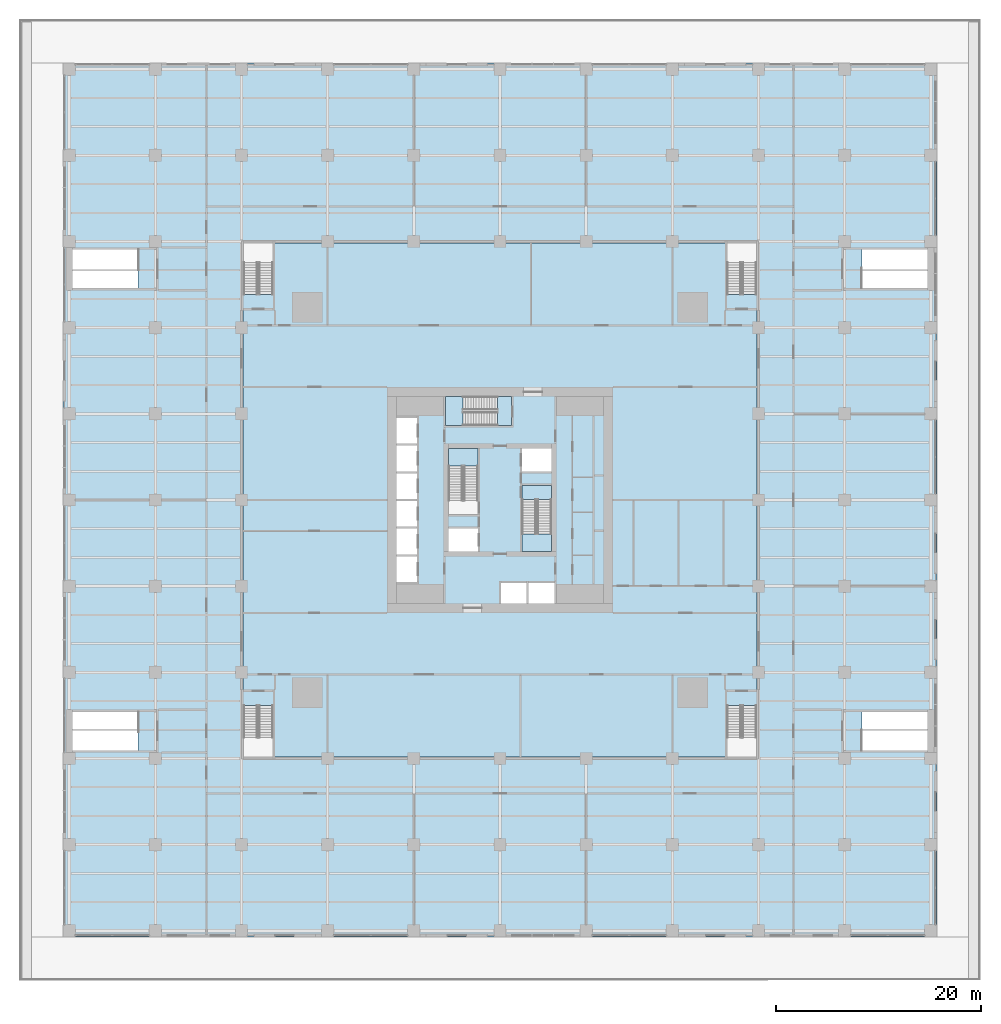
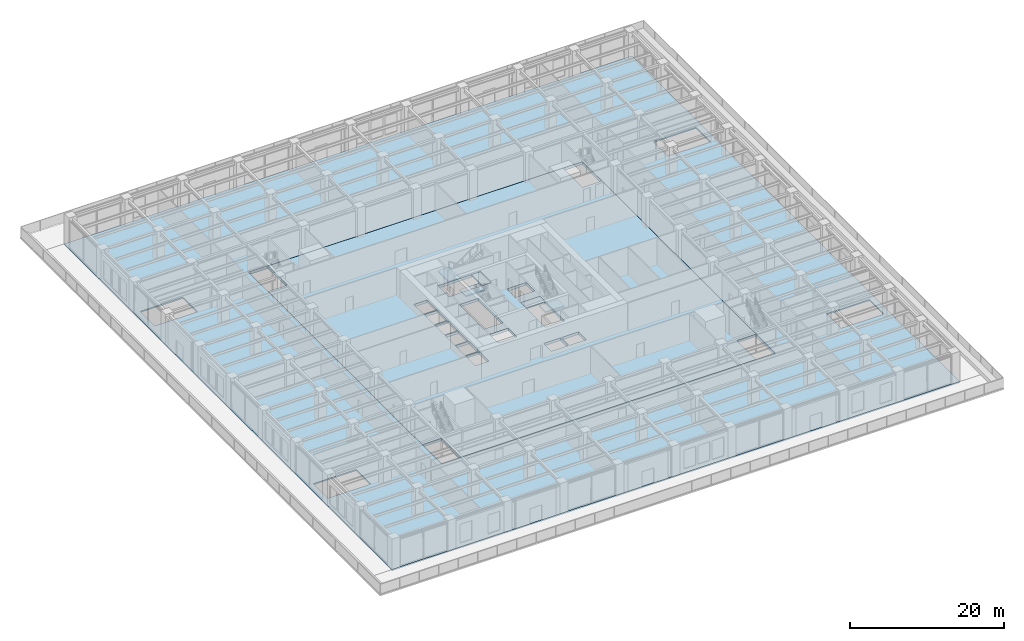
# One storey, part 27 of 53: 7 slabs, 3 elements without a shape of their own.
"""IFC4 building model written with IfcOpenShell, lengths in metres."""

from ifc_helpers import new_model, si_unit, direction, frame, origin, place, context, subcontext, project, spatial, polyline, outline, extrude, material, layer, layer_set, type_object, element, aggregate, save


model = new_model("IFC4")

# Units and contexts
model_context = context("Model", 3, precision=1e-05, world=origin(), true_north=direction((0.0, 1.0)))
body_context = subcontext(model_context, "Body", "Model", "MODEL_VIEW")
ifc_project = project(units=[si_unit("LENGTHUNIT", "METRE"), si_unit("AREAUNIT", "SQUARE_METRE"), si_unit("VOLUMEUNIT", "CUBIC_METRE"), si_unit("PLANEANGLEUNIT", "RADIAN"), si_unit("MASSUNIT", "GRAM", prefix="KILO")], contexts=[model_context])

# Site, building, storey
site_placement = place(None, origin())
site = spatial("IfcSite", under=ifc_project, at=site_placement, CompositionType="ELEMENT")
building_placement = place(site_placement, origin())
building = spatial("IfcBuilding", under=site, at=building_placement, Name="Khepri Terraces", CompositionType="ELEMENT")
storey_placement = place(building_placement, frame((0.0, 0.0, 7.199951171875)))
storey = spatial("IfcBuildingStorey", under=building, at=storey_placement, Name="L01", CompositionType="ELEMENT", Elevation=7.199951171875)

# Slabs
ifc_material_1 = material(Name="Concrete C35/45", Category="concrete")
ifc_layer_1 = layer(ifc_material_1, 0.199951171875, Name="Concrete C35/45", Category="concrete")
ifc_layer_set_1 = layer_set([ifc_layer_1], Name="Concrete C35/45")
slab_type_1 = type_object("IfcSlabType", Name="Composite floor slab 200", PredefinedType="FLOOR", material=ifc_layer_set_1)
slab_1_placement = place(storey_placement, frame((0.0, 0.0, -0.199951171875)))
element("IfcSlab", 1, at=slab_1_placement, inside=storey, type_object=slab_type_1, Name="Floor slab C01 L01", PredefinedType="FLOOR", context=body_context, shape_type="SweptSolid", body=[
    extrude(outline(polyline([(-42.60009765625, -42.60009765625), (-42.60009765625, 42.60009765625), (42.60009765625, 42.60009765625), (42.60009765625, -42.60009765625), (-42.60009765625, -42.60009765625)]), holes=[polyline([(25.050048828125, 25.050048828125), (-25.050048828125, 25.050048828125), (-25.050048828125, -25.050048828125), (25.050048828125, -25.050048828125), (25.050048828125, 25.050048828125)]), polyline([(-41.699951171875, 20.64990234375), (-35.300537109375, 20.64990234375), (-35.300537109375, 24.39990234375), (-41.699951171875, 24.39990234375), (-41.699951171875, 20.64990234375)]), polyline([(41.699951171875, 20.64990234375), (41.699951171875, 24.39990234375), (35.300537109375, 24.39990234375), (35.300537109375, 20.64990234375), (41.699951171875, 20.64990234375)]), polyline([(-35.300537109375, -20.64990234375), (-41.699951171875, -20.64990234375), (-41.699951171875, -24.39990234375), (-35.300537109375, -24.39990234375), (-35.300537109375, -20.64990234375)]), polyline([(35.300537109375, -20.64990234375), (35.300537109375, -24.39990234375), (41.699951171875, -24.39990234375), (41.699951171875, -20.64990234375), (35.300537109375, -20.64990234375)])]), origin(), (0.0, 0.0, 1.0), 0.199951171875),
])
ifc_material_2 = material(Name="Concrete C40/50", Category="concrete")
ifc_layer_2 = layer(ifc_material_2, 0.419921875, Name="Concrete C40/50", Category="concrete")
ifc_layer_set_2 = layer_set([ifc_layer_2], Name="Concrete C40/50")
slab_type_2 = type_object("IfcSlabType", Name="Flat plate 420", PredefinedType="FLOOR", material=ifc_layer_set_2)
slab_2_placement = place(storey_placement, frame((0.0, 0.0, -0.419921875)))
element("IfcSlab", 2, at=slab_2_placement, inside=storey, type_object=slab_type_2, Name="Floor slab F01 L01", PredefinedType="FLOOR", context=body_context, shape_type="SweptSolid", body=[
    extrude(outline(polyline([(-25.050048828125, 25.050048828125), (25.050048828125, 25.050048828125), (25.050048828125, -25.050048828125), (-25.050048828125, -25.050048828125), (-25.050048828125, 25.050048828125)]), holes=[polyline([(5.0, 5.0), (2.14990234375, 5.0), (2.14990234375, 2.800048828125), (5.0, 2.800048828125), (5.0, 5.0)]), polyline([(-2.14990234375, -5.0), (-2.14990234375, -2.800048828125), (-5.0, -2.800048828125), (-5.0, -5.0), (-2.14990234375, -5.0)]), polyline([(-10.10009765625, -8.0), (-8.10009765625, -8.0), (-8.10009765625, -5.5), (-10.10009765625, -5.5), (-10.10009765625, -8.0)]), polyline([(-10.10009765625, -2.800048828125), (-10.10009765625, -5.300048828125), (-8.10009765625, -5.300048828125), (-8.10009765625, -2.800048828125), (-10.10009765625, -2.800048828125)]), polyline([(-8.10009765625, -0.10009765625), (-10.10009765625, -0.10009765625), (-10.10009765625, -2.60009765625), (-8.10009765625, -2.60009765625), (-8.10009765625, -0.10009765625)]), polyline([(-8.10009765625, 0.10009765625), (-8.10009765625, 2.60009765625), (-10.10009765625, 2.60009765625), (-10.10009765625, 0.10009765625), (-8.10009765625, 0.10009765625)]), polyline([(-10.10009765625, 2.800048828125), (-8.10009765625, 2.800048828125), (-8.10009765625, 5.300048828125), (-10.10009765625, 5.300048828125), (-10.10009765625, 2.800048828125)]), polyline([(-10.10009765625, 8.0), (-10.10009765625, 5.5), (-8.10009765625, 5.5), (-8.10009765625, 8.0), (-10.10009765625, 8.0)]), polyline([(2.60009765625, -8.10009765625), (0.10009765625, -8.10009765625), (0.10009765625, -10.10009765625), (2.60009765625, -10.10009765625), (2.60009765625, -8.10009765625)]), polyline([(5.300048828125, -10.10009765625), (5.300048828125, -8.10009765625), (2.800048828125, -8.10009765625), (2.800048828125, -10.10009765625), (5.300048828125, -10.10009765625)]), polyline([(-5.0, -1.39990234375), (-2.14990234375, -1.39990234375), (-2.14990234375, 5.0), (-5.0, 5.0), (-5.0, -1.39990234375)]), polyline([(5.0, -5.0), (5.0, 1.39990234375), (2.14990234375, 1.39990234375), (2.14990234375, -5.0), (5.0, -5.0)]), polyline([(-5.300048828125, 10.10009765625), (-5.300048828125, 7.25), (1.10009765625, 7.25), (1.10009765625, 10.10009765625), (-5.300048828125, 10.10009765625)]), polyline([(22.14990234375, 25.0400390625), (22.14990234375, 20.050537109375), (25.0, 20.050537109375), (25.0, 25.0400390625), (22.14990234375, 25.0400390625)]), polyline([(-22.14990234375, 25.0400390625), (-25.0, 25.0400390625), (-25.0, 20.050537109375), (-22.14990234375, 20.050537109375), (-22.14990234375, 25.0400390625)]), polyline([(22.14990234375, -20.050537109375), (22.14990234375, -25.0400390625), (25.0, -25.0400390625), (25.0, -20.050537109375), (22.14990234375, -20.050537109375)]), polyline([(-22.14990234375, -20.050537109375), (-25.0, -20.050537109375), (-25.0, -25.0400390625), (-22.14990234375, -25.0400390625), (-22.14990234375, -20.050537109375)])]), origin(), (0.0, 0.0, 1.0), 0.419921875),
])

# Stair, slab
stair_type = type_object("IfcStairType", Name="STAIR-RC-28R", PredefinedType="HALF_TURN_STAIR", material=ifc_material_2)
stair_1_placement = place(storey_placement, origin())
stair_1 = element("IfcStair", 3, at=stair_1_placement, inside=storey, type_object=stair_type, Name="L01 Exit Stair ST-1", PredefinedType="HALF_TURN_STAIR")
ifc_layer_3 = layer(ifc_material_2, 0.199951171875, Name="Concrete C40/50", Category="concrete")
ifc_layer_set_3 = layer_set([ifc_layer_3], Name="Concrete C40/50")
slab_type_3 = type_object("IfcSlabType", Name="SLB-CORE-LANDING", PredefinedType="LANDING", material=ifc_layer_set_3)
slab_3_placement = place(storey_placement, frame((0.0, 0.0, 2.199951171875)))
slab_3 = element("IfcSlab", 4, at=slab_3_placement, type_object=slab_type_3, Name="ST-1 landing 2", PredefinedType="LANDING", context=body_context, shape_type="SweptSolid", body=[
    extrude(outline(polyline([(-2.14990234375, 3.330078125), (-2.14990234375, 5.0), (-5.0, 5.0), (-5.0, 3.330078125), (-2.14990234375, 3.330078125)])), origin(), (0.0, 0.0, 1.0), 0.2001953125),
])
aggregate(stair_1, [slab_3])

# Stair, slabs
stair_2_placement = place(storey_placement, origin())
stair_2 = element("IfcStair", 5, at=stair_2_placement, inside=storey, type_object=stair_type, Name="L01 Exit Stair ST-2", PredefinedType="HALF_TURN_STAIR")
slab_4_placement = place(storey_placement, frame((0.0, 0.0, -0.199951171875)))
slab_4 = element("IfcSlab", 6, at=slab_4_placement, type_object=slab_type_3, Name="ST-2 landing 1", PredefinedType="LANDING", context=body_context, shape_type="SweptSolid", body=[
    extrude(outline(polyline([(2.14990234375, 1.39990234375), (2.14990234375, 0.050048828125), (5.0, 0.050048828125), (5.0, 1.39990234375), (2.14990234375, 1.39990234375)])), origin(), (0.0, 0.0, 1.0), 0.199951171875),
])
slab_5_placement = place(storey_placement, frame((0.0, 0.0, 2.199951171875)))
slab_5 = element("IfcSlab", 7, at=slab_5_placement, type_object=slab_type_3, Name="ST-2 landing 2", PredefinedType="LANDING", context=body_context, shape_type="SweptSolid", body=[
    extrude(outline(polyline([(2.14990234375, -3.330078125), (2.14990234375, -5.0), (5.0, -5.0), (5.0, -3.330078125), (2.14990234375, -3.330078125)])), origin(), (0.0, 0.0, 1.0), 0.2001953125),
])
aggregate(stair_2, [slab_4, slab_5])

stair_3_placement = place(storey_placement, origin())
stair_3 = element("IfcStair", 8, at=stair_3_placement, inside=storey, type_object=stair_type, Name="L01 Exit Stair ST-3", PredefinedType="HALF_TURN_STAIR")
slab_6_placement = place(storey_placement, frame((0.0, 0.0, -0.199951171875)))
slab_6 = element("IfcSlab", 9, at=slab_6_placement, type_object=slab_type_3, Name="ST-3 landing 1", PredefinedType="LANDING", context=body_context, shape_type="SweptSolid", body=[
    extrude(outline(polyline([(1.10009765625, 10.10009765625), (-0.25, 10.10009765625), (-0.25, 7.25), (1.10009765625, 7.25), (1.10009765625, 10.10009765625)])), origin(), (0.0, 0.0, 1.0), 0.199951171875),
])
slab_7_placement = place(storey_placement, frame((0.0, 0.0, 2.199951171875)))
slab_7 = element("IfcSlab", 10, at=slab_7_placement, type_object=slab_type_3, Name="ST-3 landing 2", PredefinedType="LANDING", context=body_context, shape_type="SweptSolid", body=[
    extrude(outline(polyline([(-3.6298828125, 10.10009765625), (-5.300048828125, 10.10009765625), (-5.300048828125, 7.25), (-3.6298828125, 7.25), (-3.6298828125, 10.10009765625)])), origin(), (0.0, 0.0, 1.0), 0.2001953125),
])
aggregate(stair_3, [slab_6, slab_7])

save(model, "model.ifc")
